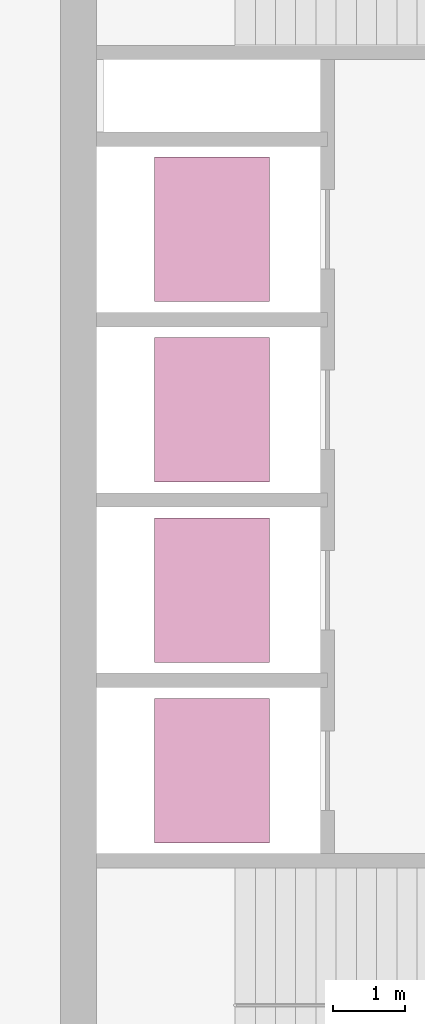
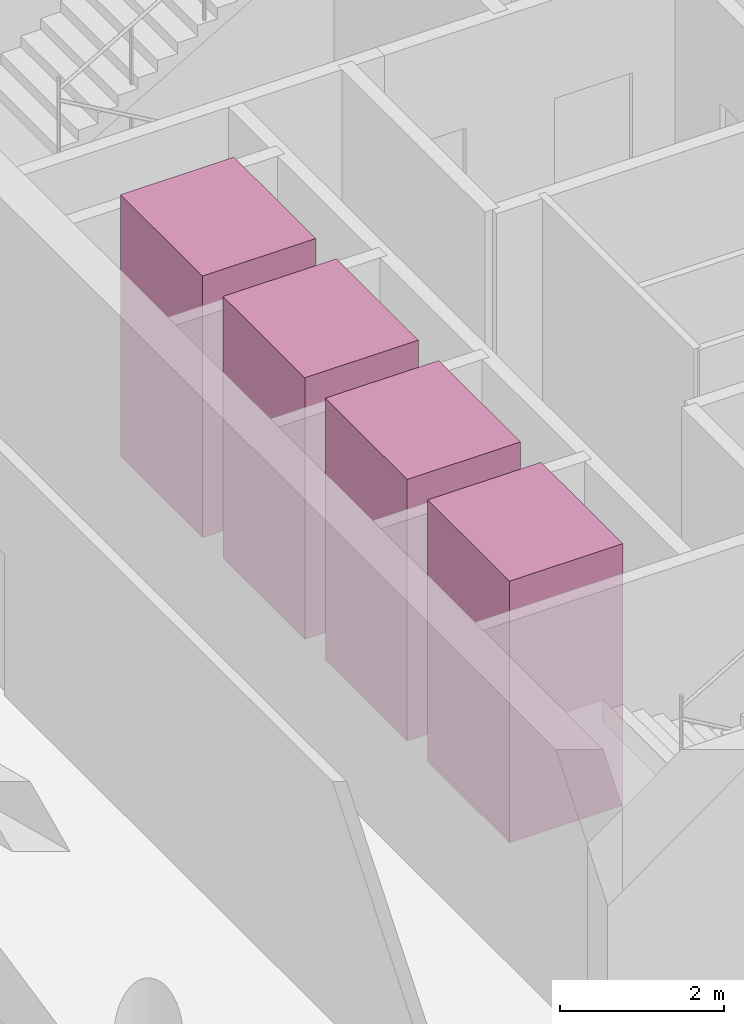
# One storey, part 9 of 9: 4 transport elements.
"""IFC4 building model written with IfcOpenShell, lengths in metres."""

from ifc_helpers import new_model, si_unit, direction, frame, origin, origin_2d, place, context, subcontext, project, spatial, rectangle, extrude, material, type_object, element, save


model = new_model("IFC4")

# Units and contexts
model_context = context("Model", 3, precision=1e-05, world=origin(), true_north=direction((0.0, 1.0)))
body_context = subcontext(model_context, "Body", "Model", "MODEL_VIEW")
ifc_project = project(units=[si_unit("LENGTHUNIT", "METRE"), si_unit("AREAUNIT", "SQUARE_METRE"), si_unit("VOLUMEUNIT", "CUBIC_METRE"), si_unit("PLANEANGLEUNIT", "RADIAN"), si_unit("MASSUNIT", "GRAM", prefix="KILO")], contexts=[model_context])

# Site, building, storey
site_placement = place(None, origin())
site = spatial("IfcSite", under=ifc_project, at=site_placement, CompositionType="ELEMENT")
building_placement = place(site_placement, origin())
building = spatial("IfcBuilding", under=site, at=building_placement, Name="Qaws Garden Tower", CompositionType="ELEMENT")
storey_placement = place(building_placement, frame((0.0, 0.0, 259.199951171875)))
storey = spatial("IfcBuildingStorey", under=building, at=storey_placement, Name="L62", CompositionType="ELEMENT", Elevation=259.199951171875)

# Transport elements
ifc_material = material(Name="Stainless steel 316", Category="steel")
transport_element_type = type_object("IfcTransportElementType", Name="Passenger lift car 2000x1600 1800 kg", PredefinedType="ELEVATOR", material=ifc_material)
for number, where, z_axis, x_axis, name in (
    (1, (10.10009765625, 13.64990234375, 0.0), (0.0, 0.0, 1.0), (1.0, 0.0, 0.0), "HR1"),
    (2, (10.10009765625, 16.14990234375, 0.0), (0.0, 0.0, 1.0), (1.0, 0.0, 0.0), "HR2"),
    (3, (10.10009765625, 18.64990234375, 0.0), (0.0, 0.0, 1.0), (1.0, 0.0, 0.0), "HR3"),
    (4, (10.10009765625, 21.14990234375, 0.0), (0.0, 0.0, 1.0), (1.0, 0.0, 0.0), "HR4"),
):
    element("IfcTransportElement", number, at=place(storey_placement, frame(where, z_axis=z_axis, x_axis=x_axis)), inside=storey, type_object=transport_element_type, Name=name, PredefinedType="ELEVATOR", context=body_context, shape_type="SweptSolid", body=[
        extrude(rectangle(XDim=1.60009765625, YDim=2.0, at=origin_2d()), origin(), (0.0, 0.0, 1.0), 3.89990234375),
    ])

save(model, "model.ifc")
